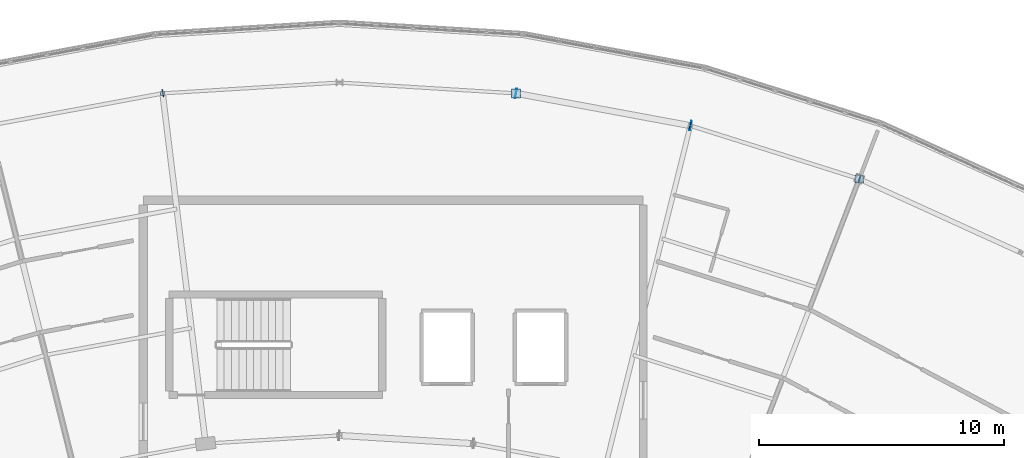
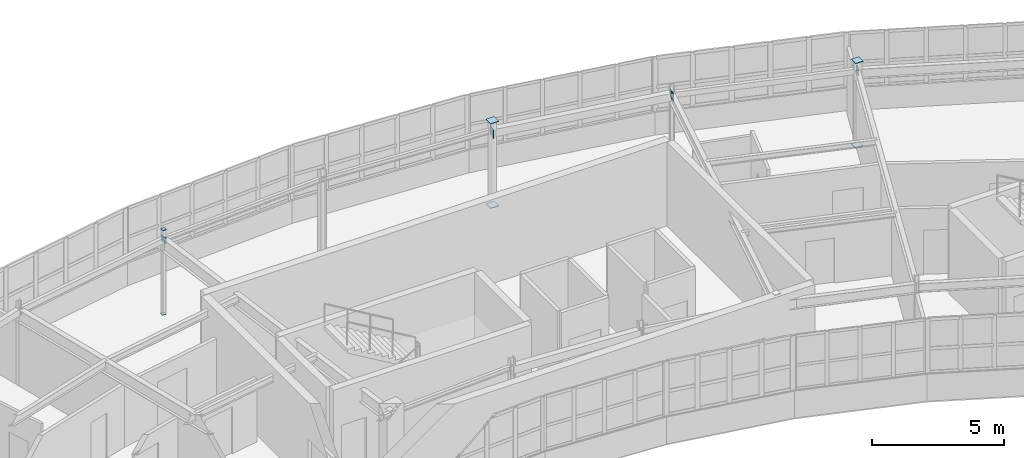
# One storey, part 50 of 65: 11 plates.
"""IFC4 building model written with IfcOpenShell, lengths in metres."""

from ifc_helpers import new_model, si_unit, direction, frame, origin, origin_2d, place, context, subcontext, project, spatial, rectangle, extrude, material, layer, layer_set, type_object, element, save


model = new_model("IFC4")

# Units and contexts
model_context = context("Model", 3, precision=1e-05, world=origin(), true_north=direction((0.0, 1.0)))
body_context = subcontext(model_context, "Body", "Model", "MODEL_VIEW")
ifc_project = project(units=[si_unit("LENGTHUNIT", "METRE"), si_unit("AREAUNIT", "SQUARE_METRE"), si_unit("VOLUMEUNIT", "CUBIC_METRE"), si_unit("PLANEANGLEUNIT", "RADIAN"), si_unit("MASSUNIT", "GRAM", prefix="KILO")], contexts=[model_context])

# Site, building, storey
site_placement = place(None, origin())
site = spatial("IfcSite", under=ifc_project, at=site_placement, CompositionType="ELEMENT")
building_placement = place(site_placement, origin())
building = spatial("IfcBuilding", under=site, at=building_placement, Name="Tarnwether General Hospital", CompositionType="ELEMENT")
storey_placement = place(building_placement, frame((0.0, 0.0, 22.199951171875)))
storey = spatial("IfcBuildingStorey", under=building, at=storey_placement, Name="L05", CompositionType="ELEMENT", Elevation=22.199951171875)

# Plates
ifc_material = material(Name="Steel Grade 350 (350 MPa)", Category="steel")
ifc_layer = layer(ifc_material, 0.02490234375)
ifc_layer_set = layer_set([ifc_layer], Name="Steel Grade 350 (350 MPa)")
plate_type = type_object("IfcPlateType", Name="PT-GUS2", PredefinedType="USERDEFINED", material=ifc_layer_set)
for number, where, z_axis, x_axis, name in (
    (1, (84.784912109375, 121.759033203125, -0.02490234375), (0.0, 0.0, 1.0), (1.0, 0.0, 0.0), "Hollow Section Welded End Cap Plate 0513"),
    (2, (84.784912109375, 121.759033203125, 3.900146484375), (0.0, 0.0, 1.0), (1.0, 0.0, 0.0), "Hollow Section Welded End Cap Plate 0514"),
):
    element("IfcPlate", number, at=place(storey_placement, frame(where, z_axis=z_axis, x_axis=x_axis)), inside=storey, type_object=plate_type, Name=name, ObjectType="GUSSET", PredefinedType="USERDEFINED", context=body_context, shape_type="SweptSolid", body=[
        extrude(rectangle(XDim=0.1650390625, YDim=0.1650390625, at=origin_2d()), origin(), (0.0, 0.0, 1.0), 0.02490234375),
    ])
for number, where, z_axis, x_axis, name in (
    (3, (99.215087890625, 121.759033203125, -0.02490234375), (0.0, 0.0, 1.0), (1.0, 0.0, 0.0), "Hollow Section Welded End Cap Plate 0541"),
    (4, (99.215087890625, 121.759033203125, 3.900146484375), (0.0, 0.0, 1.0), (1.0, 0.0, 0.0), "Hollow Section Welded End Cap Plate 0542"),
):
    element("IfcPlate", number, at=place(storey_placement, frame(where, z_axis=z_axis, x_axis=x_axis)), inside=storey, type_object=plate_type, Name=name, ObjectType="GUSSET", PredefinedType="USERDEFINED", context=body_context, shape_type="SweptSolid", body=[
        extrude(rectangle(XDim=0.364013671875, YDim=0.364013671875, at=origin_2d()), origin(), (0.0, 0.0, 1.0), 0.02490234375),
    ])
for number, where, z_axis, x_axis, name in (
    (5, (113.215087890625, 118.26806640625, -0.02490234375), (0.0, 0.0, 1.0), (1.0, 0.0, 0.0), "Hollow Section Welded End Cap Plate 0569"),
    (6, (113.215087890625, 118.26806640625, 3.900146484375), (0.0, 0.0, 1.0), (1.0, 0.0, 0.0), "Hollow Section Welded End Cap Plate 0570"),
):
    element("IfcPlate", number, at=place(storey_placement, frame(where, z_axis=z_axis, x_axis=x_axis)), inside=storey, type_object=plate_type, Name=name, ObjectType="GUSSET", PredefinedType="USERDEFINED", context=body_context, shape_type="SweptSolid", body=[
        extrude(rectangle(XDim=0.340087890625, YDim=0.340087890625, at=origin_2d()), origin(), (0.0, 0.0, 1.0), 0.02490234375),
    ])
plate_placement = place(storey_placement, frame((84.79736328125, 121.76123046875, 3.2900390625), z_axis=(0.0, 0.0, 1.0), x_axis=(0.983261268185, 0.18220120331, 0.0)))
element("IfcPlate", 7, at=plate_placement, inside=storey, type_object=plate_type, Name="Hollow Section Welded End Cap Plate 1048", ObjectType="GUSSET", PredefinedType="USERDEFINED", context=body_context, shape_type="SweptSolid", body=[
    extrude(rectangle(XDim=0.02490234375, YDim=0.2900390625, at=origin_2d()), origin(), (0.0, 0.0, 1.0), 0.2900390625),
])
for number, where, z_axis, x_axis, name in (
    (8, (99.20263671875, 121.76123046875, 3.18994140625), (0.0, 0.0, 1.0), (0.983261268185, -0.18220120331, 0.0), "Hollow Section Welded End Cap Plate 1051"),
    (9, (106.334228515625, 120.439697265625, 3.18994140625), (0.0, 0.0, 1.0), (0.983261268185, -0.18220120331, 0.0), "Hollow Section Welded End Cap Plate 1052"),
):
    element("IfcPlate", number, at=place(storey_placement, frame(where, z_axis=z_axis, x_axis=x_axis)), inside=storey, type_object=plate_type, Name=name, ObjectType="GUSSET", PredefinedType="USERDEFINED", context=body_context, shape_type="SweptSolid", body=[
        extrude(rectangle(XDim=0.02490234375, YDim=0.389892578125, at=origin_2d()), origin(), (0.0, 0.0, 1.0), 0.389892578125),
    ])
for number, where, z_axis, x_axis, name in (
    (10, (106.31005859375, 120.44580078125, 3.2900390625), (0.0, 0.0, 1.0), (0.953690705585, -0.300789025864, 0.0), "Hollow Section Welded End Cap Plate 1055"),
    (11, (113.226806640625, 118.26416015625, 3.2900390625), (0.0, 0.0, 1.0), (0.953690705585, -0.300789025864, 0.0), "Hollow Section Welded End Cap Plate 1056"),
):
    element("IfcPlate", number, at=place(storey_placement, frame(where, z_axis=z_axis, x_axis=x_axis)), inside=storey, type_object=plate_type, Name=name, ObjectType="GUSSET", PredefinedType="USERDEFINED", context=body_context, shape_type="SweptSolid", body=[
        extrude(rectangle(XDim=0.02490234375, YDim=0.2900390625, at=origin_2d()), origin(), (0.0, 0.0, 1.0), 0.2900390625),
    ])

save(model, "model.ifc")
